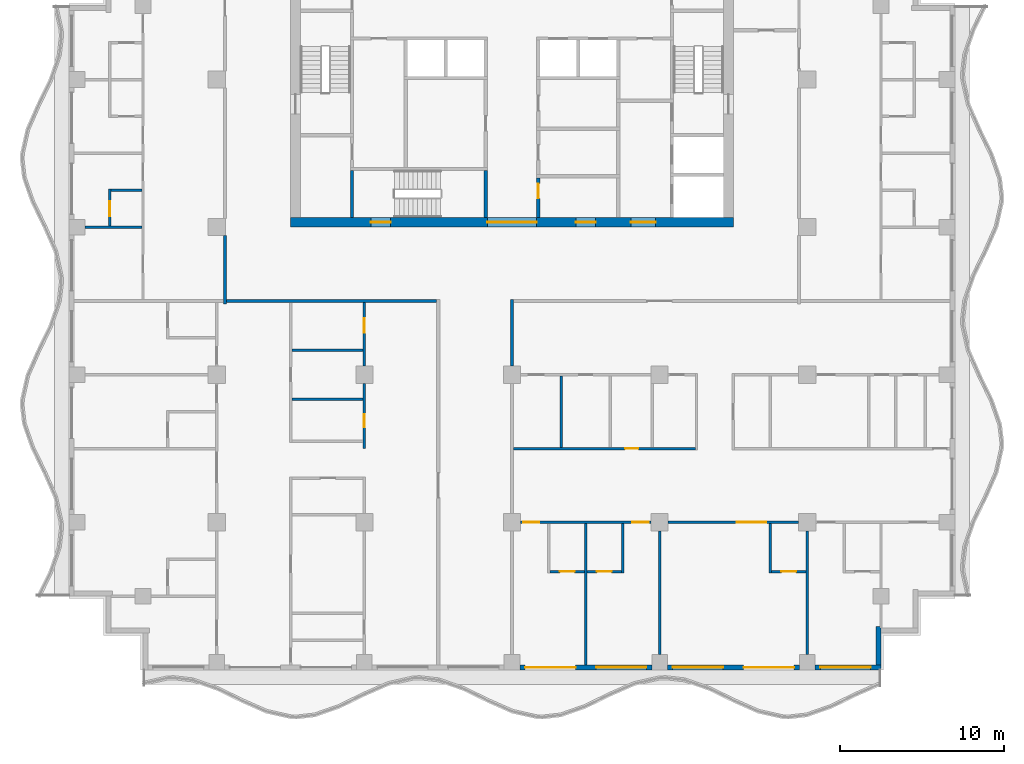
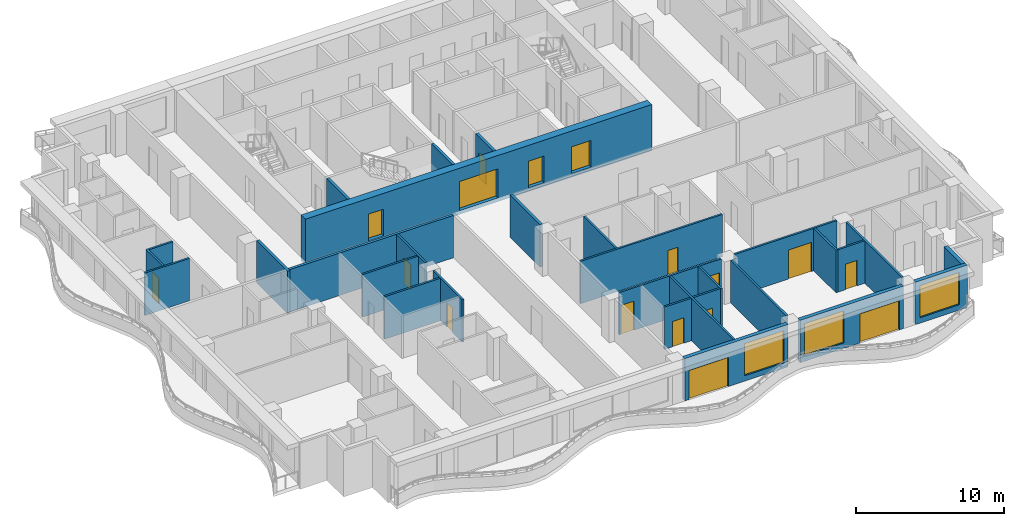
# One storey, part 3 of 11: 30 walls, 17 doors, 3 windows, 20 openings.
"""IFC4 building model written with IfcOpenShell, lengths in metres."""

import ifcopenshell
import ifcopenshell.guid

model = None  # the IFC model being written
_history = None  # IfcOwnerHistory: only IFC2X3 demands one
_inside = {}  # id of a spatial element -> (the spatial element, [elements in it])
_under = {}  # id of a project, library or spatial element -> (it, [spatial elements below it])
_declared = {}  # id of a project -> (the project, [libraries it declares])
_typed = {}  # id of a type object -> (the type object, [elements of that type])
_made_of = {}  # id of a material, layer set ... -> (it, [elements and type objects made of it])


def new_model(schema):
    """Start an empty IFC model of exactly this schema.

    Asked for "IFC4X3", IfcOpenShell would pick the latest addendum, in which some entities
    have other attributes; the version numbers below select the first issue.
    IFC2X3 requires an IfcOwnerHistory on every rooted entity: one is made here for all.
    """
    global model, _history
    if schema == "IFC4X3":
        model = ifcopenshell.file(schema_version=(4, 3, 0, 0))
    else:
        model = ifcopenshell.file(schema=schema)
    _inside.clear()
    _under.clear()
    _declared.clear()
    _typed.clear()
    _made_of.clear()
    _history = None
    if model.schema == "IFC2X3":
        org = make("IfcOrganization", Name="unknown")
        user = make(
            "IfcPersonAndOrganization",
            ThePerson=make("IfcPerson", FamilyName="unknown"),
            TheOrganization=org,
        )
        app = make(
            "IfcApplication",
            ApplicationDeveloper=org,
            Version="unknown",
            ApplicationFullName="unknown",
            ApplicationIdentifier="unknown",
        )
        _history = make(
            "IfcOwnerHistory",
            OwningUser=user,
            OwningApplication=app,
            ChangeAction="ADDED",
            CreationDate=0,
        )
    return model


def make(cls, **values):
    """One entity of the class cls with the attributes given. An attribute that is None is left unset."""
    return model.create_entity(
        cls, **{name: value for name, value in values.items() if value is not None}
    )


def rooted(cls, **values):
    """An entity with a GlobalId (a new one), such as an element, a storey or a relation."""
    return make(cls, GlobalId=ifcopenshell.guid.new(), OwnerHistory=_history, **values)


def si_unit(unit_type, name, prefix=None):
    """IfcSIUnit, for example si_unit("LENGTHUNIT", "METRE", prefix="MILLI")."""
    return make("IfcSIUnit", UnitType=unit_type, Prefix=prefix, Name=name)


def assignment(units):
    """IfcUnitAssignment: the units of a project."""
    return None if units is None else make("IfcUnitAssignment", Units=units)


def point(xyz):
    """IfcCartesianPoint."""
    return None if xyz is None else make("IfcCartesianPoint", Coordinates=xyz)


def direction(xyz):
    """IfcDirection."""
    return None if xyz is None else make("IfcDirection", DirectionRatios=xyz)


def frame(location, z_axis=None, x_axis=None):
    """IfcAxis2Placement3D, a coordinate frame: its origin and axes. An axis left out is left unset."""
    return make(
        "IfcAxis2Placement3D",
        Location=point(location),
        Axis=direction(z_axis),
        RefDirection=direction(x_axis),
    )


def frame_2d(location, x_axis=None):
    """IfcAxis2Placement2D, a coordinate frame in the plane: its origin and x axis."""
    return make(
        "IfcAxis2Placement2D", Location=point(location), RefDirection=direction(x_axis)
    )


def origin():
    """The frame at (0, 0, 0) with its axes left unset."""
    return frame((0.0, 0.0, 0.0))


def place(relative_to, where):
    """IfcLocalPlacement: puts the frame where relative to a parent placement (None: the world)."""
    return make(
        "IfcLocalPlacement", PlacementRelTo=relative_to, RelativePlacement=where
    )


def context(
    kind, dimensions, precision=None, world=None, true_north=None, identifier=None
):
    """IfcGeometricRepresentationContext, for example the 3D "Model" context."""
    return make(
        "IfcGeometricRepresentationContext",
        ContextIdentifier=identifier,
        ContextType=kind,
        CoordinateSpaceDimension=dimensions,
        Precision=precision,
        WorldCoordinateSystem=world,
        TrueNorth=true_north,
    )


def subcontext(parent, identifier, kind, view, scale=None):
    """IfcGeometricRepresentationSubContext, for example "Body" below "Model"."""
    return make(
        "IfcGeometricRepresentationSubContext",
        ContextIdentifier=identifier,
        ContextType=kind,
        ParentContext=parent,
        TargetScale=scale,
        TargetView=view,
    )


def project(units=None, contexts=None):
    """IfcProject with its units and contexts."""
    return rooted(
        "IfcProject",
        Name="project",
        RepresentationContexts=contexts,
        UnitsInContext=assignment(units),
    )


def spatial(cls, under=None, at=None, **own):
    """A site, building, storey or space (cls), placed at a placement, below another one or the project."""
    s = rooted(cls, ObjectPlacement=at, **own)
    if under is not None:
        _under.setdefault(under.id(), (under, []))[1].append(s)
    return s


def profile(cls, at=None, kind="AREA", **sizes):
    """A parametric profile (cls). Its sizes go by their IFC names, for example OverallWidth=200.0."""
    return make(cls, ProfileType=kind, Position=at, **sizes)


def rectangle(**sizes):
    """IfcRectangleProfileDef."""
    return profile("IfcRectangleProfileDef", **sizes)


def extrude(swept, where, along, depth):
    """IfcExtrudedAreaSolid: the profile swept, set in the frame where, extruded along a direction by depth."""
    return make(
        "IfcExtrudedAreaSolid",
        SweptArea=swept,
        Position=where,
        ExtrudedDirection=direction(along),
        Depth=depth,
    )


def shape(context_of_items, identifier, shape_type, items):
    """IfcShapeRepresentation: the items that make up one representation, for example the "Body"."""
    return make(
        "IfcShapeRepresentation",
        ContextOfItems=context_of_items,
        RepresentationIdentifier=identifier,
        RepresentationType=shape_type,
        Items=items,
    )


def material(Name=None, Category=None):
    """IfcMaterial."""
    return make("IfcMaterial", Name=Name, Category=Category)


def layer(
    of_material, thickness, ventilated=None, Name=None, Category=None, Priority=None
):
    """IfcMaterialLayer: one layer of a wall or slab, of a material (None: an air gap)."""
    return make(
        "IfcMaterialLayer",
        Material=of_material,
        LayerThickness=thickness,
        IsVentilated=ventilated,
        Name=Name,
        Category=Category,
        Priority=Priority,
    )


def layer_set(layers, Name=None):
    """IfcMaterialLayerSet."""
    return make("IfcMaterialLayerSet", MaterialLayers=layers, LayerSetName=Name)


def made_of(thing, what):
    """Note that an element or type object is made of a material, layer set ...; save() writes the relation."""
    if what is not None:
        _made_of.setdefault(what.id(), (what, []))[1].append(thing)
    return thing


def type_object(cls, material=None, **own):
    """A type object (cls), such as IfcWallType, which elements share."""
    return made_of(rooted(cls, **own), material)


def element(
    cls,
    number,
    at=None,
    inside=None,
    cuts=None,
    type_object=None,
    material=None,
    context=None,
    identifier="Body",
    shape_type=None,
    held_by="IfcProductDefinitionShape",
    body=None,
    shapes=None,
    **own,
):
    """One element of the class cls, such as IfcWall. Its Tag is "e" and its number.

    at: its placement. inside: the storey or other place that contains it. cuts: it is an
    opening in that element (IfcRelVoidsElement). A single representation is given by context,
    identifier, shape_type and body (its items); several are given by shapes. held_by: the class
    of the entity that holds the representations. save() writes the other relations.
    """
    e = rooted(cls, Tag="e%d" % number, ObjectPlacement=at, **own)
    if body is not None:
        shapes = [shape(context, identifier, shape_type, body)]
    if shapes is not None:
        e.Representation = make(held_by, Representations=shapes)
    if inside is not None:
        _inside.setdefault(inside.id(), (inside, []))[1].append(e)
    if cuts is not None:
        rooted(
            "IfcRelVoidsElement", RelatingBuildingElement=cuts, RelatedOpeningElement=e
        )
    if type_object is not None:
        _typed.setdefault(type_object.id(), (type_object, []))[1].append(e)
    return made_of(e, material)


def fill(opening, filler):
    """IfcRelFillsElement: the door or window that sits in an opening."""
    return rooted(
        "IfcRelFillsElement",
        RelatingOpeningElement=opening,
        RelatedBuildingElement=filler,
    )


def aggregate(whole, parts):
    """IfcRelAggregates: a whole, such as a stair, and the parts it consists of."""
    return rooted("IfcRelAggregates", RelatingObject=whole, RelatedObjects=parts)


def save(model, path):
    """Write the relations noted so far, then the file.

    IfcRelAggregates (storeys below a building ...), IfcRelContainedInSpatialStructure (elements
    in a storey), IfcRelDefinesByType, IfcRelAssociatesMaterial and IfcRelDeclares: one each for
    every whole, place, type object, material and project.
    """
    for whole, parts in _under.values():
        aggregate(whole, parts)
    for where, things in _inside.values():
        rooted(
            "IfcRelContainedInSpatialStructure",
            RelatedElements=things,
            RelatingStructure=where,
        )
    for kind, things in _typed.values():
        rooted("IfcRelDefinesByType", RelatedObjects=things, RelatingType=kind)
    for what, things in _made_of.values():
        rooted("IfcRelAssociatesMaterial", RelatedObjects=things, RelatingMaterial=what)
    for by, libraries in _declared.values():
        rooted("IfcRelDeclares", RelatingContext=by, RelatedDefinitions=libraries)
    model.write(path)


model = new_model("IFC4")

# Units and contexts
model_context = context("Model", 3, precision=1e-05, world=origin(), true_north=direction((0.0, 1.0)))
body_context = subcontext(model_context, "Body", "Model", "MODEL_VIEW")
ifc_project = project(units=[si_unit("LENGTHUNIT", "METRE"), si_unit("AREAUNIT", "SQUARE_METRE"), si_unit("VOLUMEUNIT", "CUBIC_METRE"), si_unit("PLANEANGLEUNIT", "RADIAN"), si_unit("MASSUNIT", "GRAM", prefix="KILO")], contexts=[model_context])

# Site, building, storey
site_placement = place(None, origin())
site = spatial("IfcSite", under=ifc_project, at=site_placement, CompositionType="ELEMENT")
building_placement = place(site_placement, origin())
building = spatial("IfcBuilding", under=site, at=building_placement, Name="Orbiselva Terraces", CompositionType="ELEMENT")
storey_placement = place(building_placement, frame((0.0, 0.0, 230.0)))
storey = spatial("IfcBuildingStorey", under=building, at=storey_placement, Name="L58", CompositionType="ELEMENT", Elevation=230.0)

# Wall, openings, doors
ifc_material_1 = material(Name="Concrete C80/95", Category="concrete")
ifc_layer_1 = layer(ifc_material_1, 0.6)
ifc_layer_set_1 = layer_set([ifc_layer_1], Name="Concrete C80/95")
wall_type_1 = type_object("IfcWallType", Name="CORE WALL 600", PredefinedType="SHEAR", material=ifc_layer_set_1)
wall_1_placement = place(storey_placement, frame((-13.5, 4.8, -0.3), z_axis=(0.0, 0.0, 1.0), x_axis=(1.0, 0.0, 0.0)))
wall_1 = element("IfcWall", 1, at=wall_1_placement, inside=storey, type_object=wall_type_1, Name="Core wall L58 south", PredefinedType="SHEAR", context=body_context, shape_type="SweptSolid", body=[
    extrude(rectangle(XDim=27.0, YDim=0.6, at=frame_2d((13.5, 0.0))), origin(), (0.0, 0.0, 1.0), 3.8),
])
opening_1_placement = place(wall_1_placement, frame((12.0, 0.0, 0.3)))
opening_1 = element("IfcOpeningElement", 2, at=opening_1_placement, cuts=wall_1, Name="Opening DL3000", PredefinedType="OPENING", context=body_context, shape_type="SweptSolid", body=[
    extrude(rectangle(XDim=3.0, YDim=2.4, at=frame_2d((1.5, 1.2))), frame((0.0, 0.31, 0.0), z_axis=(0.0, -1.0, 0.0), x_axis=(1.0, 0.0, 0.0)), (0.0, 0.0, 1.0), 0.62),
])
opening_2_placement = place(wall_1_placement, frame((4.9, 0.0, 0.3)))
opening_2 = element("IfcOpeningElement", 3, at=opening_2_placement, cuts=wall_1, Name="Opening DS1200", PredefinedType="OPENING", context=body_context, shape_type="SweptSolid", body=[
    extrude(rectangle(XDim=1.2, YDim=2.2, at=frame_2d((0.6, 1.1))), frame((0.0, 0.31, 0.0), z_axis=(0.0, -1.0, 0.0), x_axis=(1.0, 0.0, 0.0)), (0.0, 0.0, 1.0), 0.62),
])
opening_3_placement = place(wall_1_placement, frame((20.75, 0.0, 0.3)))
opening_3 = element("IfcOpeningElement", 4, at=opening_3_placement, cuts=wall_1, Name="Opening DF1500", PredefinedType="OPENING", context=body_context, shape_type="SweptSolid", body=[
    extrude(rectangle(XDim=1.5, YDim=2.2, at=frame_2d((0.75, 1.1))), frame((0.0, 0.31, 0.0), z_axis=(0.0, -1.0, 0.0), x_axis=(1.0, 0.0, 0.0)), (0.0, 0.0, 1.0), 0.62),
])
opening_4_placement = place(wall_1_placement, frame((17.4, 0.0, 0.3)))
opening_4 = element("IfcOpeningElement", 5, at=opening_4_placement, cuts=wall_1, Name="Opening DV1200", PredefinedType="OPENING", context=body_context, shape_type="SweptSolid", body=[
    extrude(rectangle(XDim=1.2, YDim=2.2, at=frame_2d((0.6, 1.1))), frame((0.0, 0.31, 0.0), z_axis=(0.0, -1.0, 0.0), x_axis=(1.0, 0.0, 0.0)), (0.0, 0.0, 1.0), 0.62),
])
ifc_material_2 = material(Name="Steel fire door", Category="steel")
door_type_1 = type_object("IfcDoorType", Name="FFL DOOR 1500", OperationType="DOUBLE_DOOR_SINGLE_SWING", PredefinedType="DOOR", material=ifc_material_2)
door_1_placement = place(opening_3_placement, frame((1.5, 0.0, 0.0), z_axis=(0.0, 0.0, 1.0), x_axis=(-1.0, 0.0, 0.0)))
door_1 = element("IfcDoor", 6, at=door_1_placement, inside=storey, type_object=door_type_1, Name="L58 FIRE-FIGHTING LOBBY door", OperationType="DOUBLE_DOOR_SINGLE_SWING", OverallHeight=2.2, OverallWidth=1.5, PredefinedType="DOOR", context=body_context, shape_type="SweptSolid", body=[
    extrude(rectangle(XDim=1.5, YDim=2.2, at=frame_2d((0.75, 1.1))), frame((0.0, 0.025, 0.0), z_axis=(0.0, -1.0, 0.0), x_axis=(1.0, 0.0, 0.0)), (0.0, 0.0, 1.0), 0.05),
])
fill(opening_3, door_1)
door_type_2 = type_object("IfcDoorType", Name="LOBBY DOOR 3000", OperationType="DOUBLE_DOOR_SINGLE_SWING", PredefinedType="DOOR", material=ifc_material_2)
door_2_placement = place(opening_1_placement, frame((3.0, 0.0, 0.0), z_axis=(0.0, 0.0, 1.0), x_axis=(-1.0, 0.0, 0.0)))
door_2 = element("IfcDoor", 7, at=door_2_placement, inside=storey, type_object=door_type_2, Name="L58 LIFT LOBBY door", OperationType="DOUBLE_DOOR_SINGLE_SWING", OverallHeight=2.4, OverallWidth=3.0, PredefinedType="DOOR", context=body_context, shape_type="SweptSolid", body=[
    extrude(rectangle(XDim=3.0, YDim=2.4, at=frame_2d((1.5, 1.2))), frame((0.0, 0.025, 0.0), z_axis=(0.0, -1.0, 0.0), x_axis=(1.0, 0.0, 0.0)), (0.0, 0.0, 1.0), 0.05),
])
fill(opening_1, door_2)
door_type_3 = type_object("IfcDoorType", Name="SERVICE DOOR 1200", OperationType="NOTDEFINED", PredefinedType="DOOR", material=ifc_material_2)
door_3_placement = place(opening_4_placement, frame((1.2, 0.0, 0.0), z_axis=(0.0, 0.0, 1.0), x_axis=(-1.0, 0.0, 0.0)))
door_3 = element("IfcDoor", 8, at=door_3_placement, inside=storey, type_object=door_type_3, Name="L58 ELECTRICAL RISER ROOM door", OperationType="SINGLE_SWING_RIGHT", OverallHeight=2.2, OverallWidth=1.2, PredefinedType="DOOR", context=body_context, shape_type="SweptSolid", body=[
    extrude(rectangle(XDim=1.2, YDim=2.2, at=frame_2d((0.6, 1.1))), frame((0.0, 0.025, 0.0), z_axis=(0.0, -1.0, 0.0), x_axis=(1.0, 0.0, 0.0)), (0.0, 0.0, 1.0), 0.05),
])
fill(opening_4, door_3)
door_type_4 = type_object("IfcDoorType", Name="STAIR DOOR 1200", OperationType="NOTDEFINED", PredefinedType="DOOR", material=ifc_material_2)
door_4_placement = place(opening_2_placement, frame((1.2, 0.0, 0.0), z_axis=(0.0, 0.0, 1.0), x_axis=(-1.0, 0.0, 0.0)))
door_4 = element("IfcDoor", 9, at=door_4_placement, inside=storey, type_object=door_type_4, Name="L58 EXIT STAIR S3 door", OperationType="SINGLE_SWING_LEFT", OverallHeight=2.2, OverallWidth=1.2, PredefinedType="DOOR", context=body_context, shape_type="SweptSolid", body=[
    extrude(rectangle(XDim=1.2, YDim=2.2, at=frame_2d((0.6, 1.1))), frame((0.0, 0.025, 0.0), z_axis=(0.0, -1.0, 0.0), x_axis=(1.0, 0.0, 0.0)), (0.0, 0.0, 1.0), 0.05),
])
fill(opening_2, door_4)

# Wall, opening, door
ifc_material_3 = material(Name="Masonry blockwork", Category="masonry")
ifc_layer_2 = layer(ifc_material_3, 0.2)
ifc_layer_set_2 = layer_set([ifc_layer_2], Name="Masonry blockwork")
wall_type_2 = type_object("IfcWallType", Name="CORE-WALL-PARTITION-200", PredefinedType="PARTITIONING", material=ifc_layer_set_2)
wall_2_placement = place(storey_placement, frame((1.6, 7.5, 0.0), z_axis=(0.0, 0.0, 1.0), x_axis=(0.0, -1.0, 0.0)))
wall_2 = element("IfcWall", 10, at=wall_2_placement, inside=storey, type_object=wall_type_2, Name="L58 core wall 22", PredefinedType="PARTITIONING", context=body_context, shape_type="SweptSolid", body=[
    extrude(rectangle(XDim=2.4, YDim=0.2, at=frame_2d((1.2, 0.0))), origin(), (0.0, 0.0, 1.0), 3.5),
])
opening_5_placement = place(wall_2_placement, frame((0.35, 0.0, 0.0)))
opening_5 = element("IfcOpeningElement", 11, at=opening_5_placement, cuts=wall_2, Name="Opening DR900", PredefinedType="OPENING", context=body_context, shape_type="SweptSolid", body=[
    extrude(rectangle(XDim=0.9, YDim=2.1, at=frame_2d((0.45, 1.05))), frame((0.0, 0.11, 0.0), z_axis=(0.0, -1.0, 0.0), x_axis=(1.0, 0.0, 0.0)), (0.0, 0.0, 1.0), 0.22),
])
door_type_5 = type_object("IfcDoorType", Name="ROOM DOOR 900", OperationType="NOTDEFINED", PredefinedType="DOOR", material=ifc_material_2)
door_5_placement = place(opening_5_placement, origin())
door_5 = element("IfcDoor", 12, at=door_5_placement, inside=storey, type_object=door_type_5, Name="L58 ELECTRICAL RISER ROOM door", OperationType="SINGLE_SWING_LEFT", OverallHeight=2.1, OverallWidth=0.9, PredefinedType="DOOR", context=body_context, shape_type="SweptSolid", body=[
    extrude(rectangle(XDim=0.9, YDim=2.1, at=frame_2d((0.45, 1.05))), frame((0.0, 0.025, 0.0), z_axis=(0.0, -1.0, 0.0), x_axis=(1.0, 0.0, 0.0)), (0.0, 0.0, 1.0), 0.05),
])
fill(opening_5, door_5)

# Walls
ifc_material_4 = material(Name="Concrete C60/75", Category="concrete")
ifc_layer_3 = layer(ifc_material_4, 0.2)
ifc_layer_set_3 = layer_set([ifc_layer_3], Name="Concrete C60/75")
wall_type_3 = type_object("IfcWallType", Name="CORE-WALL-SHEAR-200", PredefinedType="SHEAR", material=ifc_layer_set_3)
for number, where, z_axis, x_axis, name in (
    (13, (-9.75, 5.1, 0.0), (0.0, 0.0, 1.0), (0.0, 1.0, 0.0), "L58 core wall 03"),
    (14, (-1.6, 5.1, 0.0), (0.0, 0.0, 1.0), (0.0, 1.0, 0.0), "L58 core wall 18"),
):
    element("IfcWall", number, at=place(storey_placement, frame(where, z_axis=z_axis, x_axis=x_axis)), inside=storey, type_object=wall_type_3, Name=name, PredefinedType="SHEAR", context=body_context, shape_type="SweptSolid", body=[
        extrude(rectangle(XDim=2.85, YDim=0.2, at=frame_2d((1.425, 0.0))), origin(), (0.0, 0.0, 1.0), 3.5),
    ])

# Wall, openings, door, window
ifc_material_5 = material(Name="Terracotta cladding on masonry backing", Category="masonry")
ifc_layer_4 = layer(ifc_material_5, 0.3)
ifc_layer_set_4 = layer_set([ifc_layer_4], Name="Terracotta cladding on masonry backing")
wall_type_4 = type_object("IfcWallType", Name="ENV-WALL-TERRACOTTA-300", PredefinedType="SOLIDWALL", material=ifc_layer_set_4)
wall_3_placement = place(storey_placement, frame((8.525, -22.35, 0.0), z_axis=(0.0, 0.0, 1.0), x_axis=(-1.0, 0.0, 0.0)))
wall_3 = element("IfcWall", 15, at=wall_3_placement, inside=storey, type_object=wall_type_4, Name="Facade wall L58 S", PredefinedType="SOLIDWALL", context=body_context, shape_type="SweptSolid", body=[
    extrude(rectangle(XDim=8.05, YDim=0.3, at=frame_2d((4.025, 0.0))), origin(), (0.0, 0.0, 1.0), 3.5),
])
opening_6_placement = place(wall_3_placement, frame((4.65, 0.0, 0.0)))
opening_6 = element("IfcOpeningElement", 16, at=opening_6_placement, cuts=wall_3, Name="Opening Z4-E-E02", PredefinedType="OPENING", context=body_context, shape_type="SweptSolid", body=[
    extrude(rectangle(XDim=3.075, YDim=2.4, at=frame_2d((1.5375, 1.2))), frame((0.0, 0.16, 0.0), z_axis=(0.0, -1.0, 0.0), x_axis=(1.0, 0.0, 0.0)), (0.0, 0.0, 1.0), 0.32),
])
opening_7_placement = place(wall_3_placement, frame((0.325, 0.0, 0.45)))
opening_7 = element("IfcOpeningElement", 17, at=opening_7_placement, cuts=wall_3, Name="Opening WN15", PredefinedType="OPENING", context=body_context, shape_type="SweptSolid", body=[
    extrude(rectangle(XDim=3.075, YDim=2.65, at=frame_2d((1.5375, 1.325))), frame((0.0, 0.16, 0.0), z_axis=(0.0, -1.0, 0.0), x_axis=(1.0, 0.0, 0.0)), (0.0, 0.0, 1.0), 0.32),
])
ifc_material_6 = material(Name="Clear low-e glazing in aluminium frame", Category="aluminium")
door_type_6 = type_object("IfcDoorType", Name="BALCONY DOOR 3075 X 2400", OperationType="DOUBLE_DOOR_SLIDING", PredefinedType="DOOR", material=ifc_material_6)
door_6_placement = place(opening_6_placement, origin())
door_6 = element("IfcDoor", 18, at=door_6_placement, inside=storey, type_object=door_type_6, Name="Z4-E-E02", OperationType="SINGLE_SWING_LEFT", OverallHeight=2.4, OverallWidth=3.075, PredefinedType="DOOR", context=body_context, shape_type="SweptSolid", body=[
    extrude(rectangle(XDim=3.075, YDim=2.4, at=frame_2d((1.5375, 1.2))), frame((0.0, 0.025, 0.0), z_axis=(0.0, -1.0, 0.0), x_axis=(1.0, 0.0, 0.0)), (0.0, 0.0, 1.0), 0.05),
])
fill(opening_6, door_6)
window_type = type_object("IfcWindowType", Name="WINDOW 3075 X 2650 S450", PartitioningType="TRIPLE_PANEL_VERTICAL", PredefinedType="WINDOW", material=ifc_material_6)
window_1_placement = place(opening_7_placement, origin())
window_1 = element("IfcWindow", 19, at=window_1_placement, inside=storey, type_object=window_type, Name="Window L58 S", OverallHeight=2.65, OverallWidth=3.075, PartitioningType="SINGLE_PANEL", PredefinedType="WINDOW", context=body_context, shape_type="SweptSolid", body=[
    extrude(rectangle(XDim=3.075, YDim=2.65, at=frame_2d((1.5375, 1.325))), frame((0.0, 0.03, 0.0), z_axis=(0.0, -1.0, 0.0), x_axis=(1.0, 0.0, 0.0)), (0.0, 0.0, 1.0), 0.06),
])
fill(opening_7, window_1)

wall_4_placement = place(storey_placement, frame((17.525, -22.35, 0.0), z_axis=(0.0, 0.0, 1.0), x_axis=(-1.0, 0.0, 0.0)))
wall_4 = element("IfcWall", 20, at=wall_4_placement, inside=storey, type_object=wall_type_4, Name="Facade wall L58 S", PredefinedType="SOLIDWALL", context=body_context, shape_type="SweptSolid", body=[
    extrude(rectangle(XDim=8.05, YDim=0.3, at=frame_2d((4.025, 0.0))), origin(), (0.0, 0.0, 1.0), 3.5),
])
opening_8_placement = place(wall_4_placement, frame((4.65, 0.0, 0.45)))
opening_8 = element("IfcOpeningElement", 21, at=opening_8_placement, cuts=wall_4, Name="Opening WN15", PredefinedType="OPENING", context=body_context, shape_type="SweptSolid", body=[
    extrude(rectangle(XDim=3.075, YDim=2.65, at=frame_2d((1.5375, 1.325))), frame((0.0, 0.16, 0.0), z_axis=(0.0, -1.0, 0.0), x_axis=(1.0, 0.0, 0.0)), (0.0, 0.0, 1.0), 0.32),
])
opening_9_placement = place(wall_4_placement, frame((0.325, 0.0, 0.0)))
opening_9 = element("IfcOpeningElement", 22, at=opening_9_placement, cuts=wall_4, Name="Opening Z4-E-E11", PredefinedType="OPENING", context=body_context, shape_type="SweptSolid", body=[
    extrude(rectangle(XDim=3.075, YDim=2.4, at=frame_2d((1.5375, 1.2))), frame((0.0, 0.16, 0.0), z_axis=(0.0, -1.0, 0.0), x_axis=(1.0, 0.0, 0.0)), (0.0, 0.0, 1.0), 0.32),
])
door_7_placement = place(opening_9_placement, origin())
door_7 = element("IfcDoor", 23, at=door_7_placement, inside=storey, type_object=door_type_6, Name="Z4-E-E11", OperationType="SINGLE_SWING_LEFT", OverallHeight=2.4, OverallWidth=3.075, PredefinedType="DOOR", context=body_context, shape_type="SweptSolid", body=[
    extrude(rectangle(XDim=3.075, YDim=2.4, at=frame_2d((1.5375, 1.2))), frame((0.0, 0.025, 0.0), z_axis=(0.0, -1.0, 0.0), x_axis=(1.0, 0.0, 0.0)), (0.0, 0.0, 1.0), 0.05),
])
fill(opening_9, door_7)
window_2_placement = place(opening_8_placement, origin())
window_2 = element("IfcWindow", 24, at=window_2_placement, inside=storey, type_object=window_type, Name="Window L58 S", OverallHeight=2.65, OverallWidth=3.075, PartitioningType="SINGLE_PANEL", PredefinedType="WINDOW", context=body_context, shape_type="SweptSolid", body=[
    extrude(rectangle(XDim=3.075, YDim=2.65, at=frame_2d((1.5375, 1.325))), frame((0.0, 0.03, 0.0), z_axis=(0.0, -1.0, 0.0), x_axis=(1.0, 0.0, 0.0)), (0.0, 0.0, 1.0), 0.06),
])
fill(opening_8, window_2)

# Wall, opening, window
wall_5_placement = place(storey_placement, frame((22.5, -22.35, 0.0), z_axis=(0.0, 0.0, 1.0), x_axis=(-1.0, 0.0, 0.0)))
wall_5 = element("IfcWall", 25, at=wall_5_placement, inside=storey, type_object=wall_type_4, Name="Facade wall L58 S", PredefinedType="SOLIDWALL", context=body_context, shape_type="SweptSolid", body=[
    extrude(rectangle(XDim=4.025, YDim=0.3, at=frame_2d((2.0125, 0.0))), origin(), (0.0, 0.0, 1.0), 3.5),
])
opening_10_placement = place(wall_5_placement, frame((0.625, 0.0, 0.45)))
opening_10 = element("IfcOpeningElement", 26, at=opening_10_placement, cuts=wall_5, Name="Opening WN15", PredefinedType="OPENING", context=body_context, shape_type="SweptSolid", body=[
    extrude(rectangle(XDim=3.075, YDim=2.65, at=frame_2d((1.5375, 1.325))), frame((0.0, 0.16, 0.0), z_axis=(0.0, -1.0, 0.0), x_axis=(1.0, 0.0, 0.0)), (0.0, 0.0, 1.0), 0.32),
])
window_3_placement = place(opening_10_placement, origin())
window_3 = element("IfcWindow", 27, at=window_3_placement, inside=storey, type_object=window_type, Name="Window L58 S", OverallHeight=2.65, OverallWidth=3.075, PartitioningType="SINGLE_PANEL", PredefinedType="WINDOW", context=body_context, shape_type="SweptSolid", body=[
    extrude(rectangle(XDim=3.075, YDim=2.65, at=frame_2d((1.5375, 1.325))), frame((0.0, 0.03, 0.0), z_axis=(0.0, -1.0, 0.0), x_axis=(1.0, 0.0, 0.0)), (0.0, 0.0, 1.0), 0.06),
])
fill(opening_10, window_3)

# Walls
wall_6_placement = place(storey_placement, frame((22.35, -19.85, 0.0), z_axis=(0.0, 0.0, 1.0), x_axis=(0.0, -1.0, 0.0)))
element("IfcWall", 28, at=wall_6_placement, inside=storey, type_object=wall_type_4, Name="Facade wall L58 STEP", PredefinedType="SOLIDWALL", context=body_context, shape_type="SweptSolid", body=[
    extrude(rectangle(XDim=2.35, YDim=0.3, at=frame_2d((1.175, 0.0))), origin(), (0.0, 0.0, 1.0), 3.5),
])
ifc_material_7 = material(Name="Plasterboard on steel stud partition", Category="steel")
ifc_layer_5 = layer(ifc_material_7, 0.2)
ifc_layer_set_5 = layer_set([ifc_layer_5], Name="Plasterboard on steel stud partition")
wall_type_5 = type_object("IfcWallType", Name="UNIT-ENTRANCE-WALL-200", PredefinedType="PARTITIONING", material=ifc_layer_set_5)
wall_7_placement = place(storey_placement, frame((-17.4, 0.0, 0.0), z_axis=(0.0, 0.0, 1.0), x_axis=(1.0, 0.0, 0.0)))
element("IfcWall", 29, at=wall_7_placement, inside=storey, type_object=wall_type_5, Name="PARTITION L58-028", PredefinedType="PARTITIONING", context=body_context, shape_type="SweptSolid", body=[
    extrude(rectangle(XDim=12.8, YDim=0.2, at=frame_2d((6.4, 0.0))), origin(), (0.0, 0.0, 1.0), 3.5),
])
wall_8_placement = place(storey_placement, frame((-17.5, -0.2, 0.0), z_axis=(0.0, 0.0, 1.0), x_axis=(0.0, 1.0, 0.0)))
element("IfcWall", 30, at=wall_8_placement, inside=storey, type_object=wall_type_5, Name="PARTITION L58-057", PredefinedType="PARTITIONING", context=body_context, shape_type="SweptSolid", body=[
    extrude(rectangle(XDim=4.175, YDim=0.2, at=frame_2d((2.0875, 0.0))), origin(), (0.0, 0.0, 1.0), 3.5),
])
wall_9_placement = place(storey_placement, frame((0.0, -3.975, 0.0), z_axis=(0.0, 0.0, 1.0), x_axis=(0.0, 1.0, 0.0)))
element("IfcWall", 31, at=wall_9_placement, inside=storey, type_object=wall_type_5, Name="PARTITION L58-069", PredefinedType="PARTITIONING", context=body_context, shape_type="SweptSolid", body=[
    extrude(rectangle(XDim=4.075, YDim=0.2, at=frame_2d((2.0375, 0.0))), origin(), (0.0, 0.0, 1.0), 3.5),
])

# Wall, opening, door
ifc_layer_6 = layer(ifc_material_7, 0.15)
ifc_layer_set_6 = layer_set([ifc_layer_6], Name="Plasterboard on steel stud partition")
wall_type_6 = type_object("IfcWallType", Name="UNIT-PARTITION-150", PredefinedType="PARTITIONING", material=ifc_layer_set_6)
wall_10_placement = place(storey_placement, frame((2.325, -16.5, 0.0), z_axis=(0.0, 0.0, 1.0), x_axis=(1.0, 0.0, 0.0)))
wall_10 = element("IfcWall", 32, at=wall_10_placement, inside=storey, type_object=wall_type_6, Name="PARTITION L58-005", PredefinedType="PARTITIONING", context=body_context, shape_type="SweptSolid", body=[
    extrude(rectangle(XDim=2.1, YDim=0.15, at=frame_2d((1.05, 0.0))), origin(), (0.0, 0.0, 1.0), 3.5),
])
opening_11_placement = place(wall_10_placement, frame((0.6, 0.0, 0.0)))
opening_11 = element("IfcOpeningElement", 33, at=opening_11_placement, cuts=wall_10, Name="Opening Z4-E-51", PredefinedType="OPENING", context=body_context, shape_type="SweptSolid", body=[
    extrude(rectangle(XDim=0.9, YDim=2.1, at=frame_2d((0.45, 1.05))), frame((0.0, 0.085, 0.0), z_axis=(0.0, -1.0, 0.0), x_axis=(1.0, 0.0, 0.0)), (0.0, 0.0, 1.0), 0.17),
])
ifc_material_8 = material(Name="Painted timber door leaf", Category="wood")
door_type_7 = type_object("IfcDoorType", Name="BATH DOOR 900", OperationType="NOTDEFINED", PredefinedType="DOOR", material=ifc_material_8)
door_8_placement = place(opening_11_placement, origin())
door_8 = element("IfcDoor", 34, at=door_8_placement, inside=storey, type_object=door_type_7, Name="Z4-E-51", OperationType="SINGLE_SWING_RIGHT", OverallHeight=2.1, OverallWidth=0.9, PredefinedType="DOOR", context=body_context, shape_type="SweptSolid", body=[
    extrude(rectangle(XDim=0.9, YDim=2.1, at=frame_2d((0.45, 1.05))), frame((0.0, 0.025, 0.0), z_axis=(0.0, -1.0, 0.0), x_axis=(1.0, 0.0, 0.0)), (0.0, 0.0, 1.0), 0.05),
])
fill(opening_11, door_8)

wall_11_placement = place(storey_placement, frame((4.575, -16.5, 0.0), z_axis=(0.0, 0.0, 1.0), x_axis=(1.0, 0.0, 0.0)))
wall_11 = element("IfcWall", 35, at=wall_11_placement, inside=storey, type_object=wall_type_6, Name="PARTITION L58-006", PredefinedType="PARTITIONING", context=body_context, shape_type="SweptSolid", body=[
    extrude(rectangle(XDim=2.1, YDim=0.15, at=frame_2d((1.05, 0.0))), origin(), (0.0, 0.0, 1.0), 3.5),
])
opening_12_placement = place(wall_11_placement, frame((0.6, 0.0, 0.0)))
opening_12 = element("IfcOpeningElement", 36, at=opening_12_placement, cuts=wall_11, Name="Opening Z4-E-49", PredefinedType="OPENING", context=body_context, shape_type="SweptSolid", body=[
    extrude(rectangle(XDim=0.9, YDim=2.1, at=frame_2d((0.45, 1.05))), frame((0.0, 0.085, 0.0), z_axis=(0.0, -1.0, 0.0), x_axis=(1.0, 0.0, 0.0)), (0.0, 0.0, 1.0), 0.17),
])
door_9_placement = place(opening_12_placement, origin())
door_9 = element("IfcDoor", 37, at=door_9_placement, inside=storey, type_object=door_type_7, Name="Z4-E-49", OperationType="SINGLE_SWING_LEFT", OverallHeight=2.1, OverallWidth=0.9, PredefinedType="DOOR", context=body_context, shape_type="SweptSolid", body=[
    extrude(rectangle(XDim=0.9, YDim=2.1, at=frame_2d((0.45, 1.05))), frame((0.0, 0.025, 0.0), z_axis=(0.0, -1.0, 0.0), x_axis=(1.0, 0.0, 0.0)), (0.0, 0.0, 1.0), 0.05),
])
fill(opening_12, door_9)

wall_12_placement = place(storey_placement, frame((15.825, -16.5, 0.0), z_axis=(0.0, 0.0, 1.0), x_axis=(1.0, 0.0, 0.0)))
wall_12 = element("IfcWall", 38, at=wall_12_placement, inside=storey, type_object=wall_type_6, Name="PARTITION L58-007", PredefinedType="PARTITIONING", context=body_context, shape_type="SweptSolid", body=[
    extrude(rectangle(XDim=2.1, YDim=0.15, at=frame_2d((1.05, 0.0))), origin(), (0.0, 0.0, 1.0), 3.5),
])
opening_13_placement = place(wall_12_placement, frame((0.6, 0.0, 0.0)))
opening_13 = element("IfcOpeningElement", 39, at=opening_13_placement, cuts=wall_12, Name="Opening Z4-E-47", PredefinedType="OPENING", context=body_context, shape_type="SweptSolid", body=[
    extrude(rectangle(XDim=0.9, YDim=2.1, at=frame_2d((0.45, 1.05))), frame((0.0, 0.085, 0.0), z_axis=(0.0, -1.0, 0.0), x_axis=(1.0, 0.0, 0.0)), (0.0, 0.0, 1.0), 0.17),
])
door_10_placement = place(opening_13_placement, origin())
door_10 = element("IfcDoor", 40, at=door_10_placement, inside=storey, type_object=door_type_7, Name="Z4-E-47", OperationType="SINGLE_SWING_LEFT", OverallHeight=2.1, OverallWidth=0.9, PredefinedType="DOOR", context=body_context, shape_type="SweptSolid", body=[
    extrude(rectangle(XDim=0.9, YDim=2.1, at=frame_2d((0.45, 1.05))), frame((0.0, 0.025, 0.0), z_axis=(0.0, -1.0, 0.0), x_axis=(1.0, 0.0, 0.0)), (0.0, 0.0, 1.0), 0.05),
])
fill(opening_13, door_10)

# Wall, openings, doors
wall_13_placement = place(storey_placement, frame((8.475, -13.5, 0.0), z_axis=(0.0, 0.0, 1.0), x_axis=(-1.0, 0.0, 0.0)))
wall_13 = element("IfcWall", 41, at=wall_13_placement, inside=storey, type_object=wall_type_6, Name="PARTITION L58-010", PredefinedType="PARTITIONING", context=body_context, shape_type="SweptSolid", body=[
    extrude(rectangle(XDim=7.95, YDim=0.15, at=frame_2d((3.975, 0.0))), origin(), (0.0, 0.0, 1.0), 3.5),
])
opening_14_placement = place(wall_13_placement, frame((0.15, 0.0, 0.0)))
opening_14 = element("IfcOpeningElement", 42, at=opening_14_placement, cuts=wall_13, Name="Opening Z4-E-48", PredefinedType="OPENING", context=body_context, shape_type="SweptSolid", body=[
    extrude(rectangle(XDim=1.0, YDim=2.4, at=frame_2d((0.5, 1.2))), frame((0.0, 0.085, 0.0), z_axis=(0.0, -1.0, 0.0), x_axis=(1.0, 0.0, 0.0)), (0.0, 0.0, 1.0), 0.17),
])
opening_15_placement = place(wall_13_placement, frame((6.8, 0.0, 0.0)))
opening_15 = element("IfcOpeningElement", 43, at=opening_15_placement, cuts=wall_13, Name="Opening Z4-E-50", PredefinedType="OPENING", context=body_context, shape_type="SweptSolid", body=[
    extrude(rectangle(XDim=1.0, YDim=2.4, at=frame_2d((0.5, 1.2))), frame((0.0, 0.085, 0.0), z_axis=(0.0, -1.0, 0.0), x_axis=(1.0, 0.0, 0.0)), (0.0, 0.0, 1.0), 0.17),
])
door_type_8 = type_object("IfcDoorType", Name="ROOM DOOR 1000", OperationType="NOTDEFINED", PredefinedType="DOOR", material=ifc_material_8)
door_11_placement = place(opening_14_placement, origin())
door_11 = element("IfcDoor", 44, at=door_11_placement, inside=storey, type_object=door_type_8, Name="Z4-E-48", OperationType="SINGLE_SWING_LEFT", OverallHeight=2.4, OverallWidth=1.0, PredefinedType="DOOR", context=body_context, shape_type="SweptSolid", body=[
    extrude(rectangle(XDim=1.0, YDim=2.4, at=frame_2d((0.5, 1.2))), frame((0.0, 0.025, 0.0), z_axis=(0.0, -1.0, 0.0), x_axis=(1.0, 0.0, 0.0)), (0.0, 0.0, 1.0), 0.05),
])
fill(opening_14, door_11)
door_12_placement = place(opening_15_placement, origin())
door_12 = element("IfcDoor", 45, at=door_12_placement, inside=storey, type_object=door_type_8, Name="Z4-E-50", OperationType="SINGLE_SWING_RIGHT", OverallHeight=2.4, OverallWidth=1.0, PredefinedType="DOOR", context=body_context, shape_type="SweptSolid", body=[
    extrude(rectangle(XDim=1.0, YDim=2.4, at=frame_2d((0.5, 1.2))), frame((0.0, 0.025, 0.0), z_axis=(0.0, -1.0, 0.0), x_axis=(1.0, 0.0, 0.0)), (0.0, 0.0, 1.0), 0.05),
])
fill(opening_15, door_12)

# Wall, opening, door
wall_14_placement = place(storey_placement, frame((17.475, -13.5, 0.0), z_axis=(0.0, 0.0, 1.0), x_axis=(-1.0, 0.0, 0.0)))
wall_14 = element("IfcWall", 46, at=wall_14_placement, inside=storey, type_object=wall_type_6, Name="PARTITION L58-011", PredefinedType="PARTITIONING", context=body_context, shape_type="SweptSolid", body=[
    extrude(rectangle(XDim=7.95, YDim=0.15, at=frame_2d((3.975, 0.0))), origin(), (0.0, 0.0, 1.0), 3.5),
])
opening_16_placement = place(wall_14_placement, frame((1.975, 0.0, 0.0)))
opening_16 = element("IfcOpeningElement", 47, at=opening_16_placement, cuts=wall_14, Name="Opening Z4-E-46", PredefinedType="OPENING", context=body_context, shape_type="SweptSolid", body=[
    extrude(rectangle(XDim=1.8, YDim=2.4, at=frame_2d((0.9, 1.2))), frame((0.0, 0.085, 0.0), z_axis=(0.0, -1.0, 0.0), x_axis=(1.0, 0.0, 0.0)), (0.0, 0.0, 1.0), 0.17),
])
door_type_9 = type_object("IfcDoorType", Name="DOUBLE DOOR 1800", OperationType="NOTDEFINED", PredefinedType="DOOR", material=ifc_material_8)
door_13_placement = place(opening_16_placement, origin())
door_13 = element("IfcDoor", 48, at=door_13_placement, inside=storey, type_object=door_type_9, Name="Z4-E-46", OperationType="DOUBLE_DOOR_SINGLE_SWING", OverallHeight=2.4, OverallWidth=1.8, PredefinedType="DOOR", context=body_context, shape_type="SweptSolid", body=[
    extrude(rectangle(XDim=1.8, YDim=2.4, at=frame_2d((0.9, 1.2))), frame((0.0, 0.025, 0.0), z_axis=(0.0, -1.0, 0.0), x_axis=(1.0, 0.0, 0.0)), (0.0, 0.0, 1.0), 0.05),
])
fill(opening_16, door_13)

wall_15_placement = place(storey_placement, frame((0.1, -9.0, 0.0), z_axis=(0.0, 0.0, 1.0), x_axis=(1.0, 0.0, 0.0)))
wall_15 = element("IfcWall", 49, at=wall_15_placement, inside=storey, type_object=wall_type_6, Name="PARTITION L58-016", PredefinedType="PARTITIONING", context=body_context, shape_type="SweptSolid", body=[
    extrude(rectangle(XDim=11.075, YDim=0.15, at=frame_2d((5.5375, 0.0))), origin(), (0.0, 0.0, 1.0), 3.5),
])
opening_17_placement = place(wall_15_placement, frame((6.8, 0.0, 0.0)))
opening_17 = element("IfcOpeningElement", 50, at=opening_17_placement, cuts=wall_15, Name="Opening Z4-E-40", PredefinedType="OPENING", context=body_context, shape_type="SweptSolid", body=[
    extrude(rectangle(XDim=0.8, YDim=2.0, at=frame_2d((0.4, 1.0))), frame((0.0, 0.085, 0.0), z_axis=(0.0, -1.0, 0.0), x_axis=(1.0, 0.0, 0.0)), (0.0, 0.0, 1.0), 0.17),
])
door_type_10 = type_object("IfcDoorType", Name="STORE DOOR 800", OperationType="NOTDEFINED", PredefinedType="DOOR", material=ifc_material_8)
door_14_placement = place(opening_17_placement, origin())
door_14 = element("IfcDoor", 51, at=door_14_placement, inside=storey, type_object=door_type_10, Name="Z4-E-40", OperationType="SINGLE_SWING_RIGHT", OverallHeight=2.0, OverallWidth=0.8, PredefinedType="DOOR", context=body_context, shape_type="SweptSolid", body=[
    extrude(rectangle(XDim=0.8, YDim=2.0, at=frame_2d((0.4, 1.0))), frame((0.0, 0.025, 0.0), z_axis=(0.0, -1.0, 0.0), x_axis=(1.0, 0.0, 0.0)), (0.0, 0.0, 1.0), 0.05),
])
fill(opening_17, door_14)

# Walls
for number, where, z_axis, x_axis, name in (
    (52, (-13.425, -6.0, 0.0), (0.0, 0.0, 1.0), (1.0, 0.0, 0.0), "PARTITION L58-020"),
    (53, (-13.425, -3.0, 0.0), (0.0, 0.0, 1.0), (1.0, 0.0, 0.0), "PARTITION L58-026"),
):
    element("IfcWall", number, at=place(storey_placement, frame(where, z_axis=z_axis, x_axis=x_axis)), inside=storey, type_object=wall_type_6, Name=name, PredefinedType="PARTITIONING", context=body_context, shape_type="SweptSolid", body=[
        extrude(rectangle(XDim=4.35, YDim=0.15, at=frame_2d((2.175, 0.0))), origin(), (0.0, 0.0, 1.0), 3.5),
    ])
wall_16_placement = place(storey_placement, frame((-26.05, 4.5, 0.0), z_axis=(0.0, 0.0, 1.0), x_axis=(1.0, 0.0, 0.0)))
element("IfcWall", 54, at=wall_16_placement, inside=storey, type_object=wall_type_6, Name="PARTITION L58-032", PredefinedType="PARTITIONING", context=body_context, shape_type="SweptSolid", body=[
    extrude(rectangle(XDim=3.475, YDim=0.15, at=frame_2d((1.7375, 0.0))), origin(), (0.0, 0.0, 1.0), 3.5),
])
wall_17_placement = place(storey_placement, frame((-24.45, 6.75, 0.0), z_axis=(0.0, 0.0, 1.0), x_axis=(1.0, 0.0, 0.0)))
element("IfcWall", 55, at=wall_17_placement, inside=storey, type_object=wall_type_6, Name="PARTITION L58-034", PredefinedType="PARTITIONING", context=body_context, shape_type="SweptSolid", body=[
    extrude(rectangle(XDim=1.875, YDim=0.15, at=frame_2d((0.9375, 0.0))), origin(), (0.0, 0.0, 1.0), 3.5),
])

# Wall, opening, door
wall_18_placement = place(storey_placement, frame((-24.525, 6.825, 0.0), z_axis=(0.0, 0.0, 1.0), x_axis=(0.0, -1.0, 0.0)))
wall_18 = element("IfcWall", 56, at=wall_18_placement, inside=storey, type_object=wall_type_6, Name="PARTITION L58-047", PredefinedType="PARTITIONING", context=body_context, shape_type="SweptSolid", body=[
    extrude(rectangle(XDim=2.25, YDim=0.15, at=frame_2d((1.125, 0.0))), origin(), (0.0, 0.0, 1.0), 3.5),
])
opening_18_placement = place(wall_18_placement, frame((0.75, 0.0, 0.0)))
opening_18 = element("IfcOpeningElement", 57, at=opening_18_placement, cuts=wall_18, Name="Opening Z4-E-05", PredefinedType="OPENING", context=body_context, shape_type="SweptSolid", body=[
    extrude(rectangle(XDim=0.9, YDim=2.1, at=frame_2d((0.45, 1.05))), frame((0.0, 0.085, 0.0), z_axis=(0.0, -1.0, 0.0), x_axis=(1.0, 0.0, 0.0)), (0.0, 0.0, 1.0), 0.17),
])
door_15_placement = place(opening_18_placement, origin())
door_15 = element("IfcDoor", 58, at=door_15_placement, inside=storey, type_object=door_type_7, Name="Z4-E-05", OperationType="SINGLE_SWING_RIGHT", OverallHeight=2.1, OverallWidth=0.9, PredefinedType="DOOR", context=body_context, shape_type="SweptSolid", body=[
    extrude(rectangle(XDim=0.9, YDim=2.1, at=frame_2d((0.45, 1.05))), frame((0.0, 0.025, 0.0), z_axis=(0.0, -1.0, 0.0), x_axis=(1.0, 0.0, 0.0)), (0.0, 0.0, 1.0), 0.05),
])
fill(opening_18, door_15)

wall_19_placement = place(storey_placement, frame((-9.0, -9.0, 0.0), z_axis=(0.0, 0.0, 1.0), x_axis=(0.0, 1.0, 0.0)))
wall_19 = element("IfcWall", 59, at=wall_19_placement, inside=storey, type_object=wall_type_6, Name="PARTITION L58-064", PredefinedType="PARTITIONING", context=body_context, shape_type="SweptSolid", body=[
    extrude(rectangle(XDim=3.975, YDim=0.15, at=frame_2d((1.9875, 0.0))), origin(), (0.0, 0.0, 1.0), 3.5),
])
opening_19_placement = place(wall_19_placement, frame((1.3, 0.0, 0.0)))
opening_19 = element("IfcOpeningElement", 60, at=opening_19_placement, cuts=wall_19, Name="Opening Z4-E-23", PredefinedType="OPENING", context=body_context, shape_type="SweptSolid", body=[
    extrude(rectangle(XDim=0.8, YDim=2.0, at=frame_2d((0.4, 1.0))), frame((0.0, 0.085, 0.0), z_axis=(0.0, -1.0, 0.0), x_axis=(1.0, 0.0, 0.0)), (0.0, 0.0, 1.0), 0.17),
])
door_16_placement = place(opening_19_placement, origin())
door_16 = element("IfcDoor", 61, at=door_16_placement, inside=storey, type_object=door_type_10, Name="Z4-E-23", OperationType="SINGLE_SWING_LEFT", OverallHeight=2.0, OverallWidth=0.8, PredefinedType="DOOR", context=body_context, shape_type="SweptSolid", body=[
    extrude(rectangle(XDim=0.8, YDim=2.0, at=frame_2d((0.4, 1.0))), frame((0.0, 0.025, 0.0), z_axis=(0.0, -1.0, 0.0), x_axis=(1.0, 0.0, 0.0)), (0.0, 0.0, 1.0), 0.05),
])
fill(opening_19, door_16)

wall_20_placement = place(storey_placement, frame((-9.0, -3.975, 0.0), z_axis=(0.0, 0.0, 1.0), x_axis=(0.0, 1.0, 0.0)))
wall_20 = element("IfcWall", 62, at=wall_20_placement, inside=storey, type_object=wall_type_6, Name="PARTITION L58-065", PredefinedType="PARTITIONING", context=body_context, shape_type="SweptSolid", body=[
    extrude(rectangle(XDim=3.875, YDim=0.15, at=frame_2d((1.9375, 0.0))), origin(), (0.0, 0.0, 1.0), 3.5),
])
opening_20_placement = place(wall_20_placement, frame((2.025, 0.0, 0.0)))
opening_20 = element("IfcOpeningElement", 63, at=opening_20_placement, cuts=wall_20, Name="Opening Z4-E-25", PredefinedType="OPENING", context=body_context, shape_type="SweptSolid", body=[
    extrude(rectangle(XDim=0.9, YDim=2.1, at=frame_2d((0.45, 1.05))), frame((0.0, 0.085, 0.0), z_axis=(0.0, -1.0, 0.0), x_axis=(1.0, 0.0, 0.0)), (0.0, 0.0, 1.0), 0.17),
])
door_type_11 = type_object("IfcDoorType", Name="SERVICE DOOR 900", OperationType="NOTDEFINED", PredefinedType="DOOR", material=ifc_material_8)
door_17_placement = place(opening_20_placement, origin())
door_17 = element("IfcDoor", 64, at=door_17_placement, inside=storey, type_object=door_type_11, Name="Z4-E-25", OperationType="SINGLE_SWING_RIGHT", OverallHeight=2.1, OverallWidth=0.9, PredefinedType="DOOR", context=body_context, shape_type="SweptSolid", body=[
    extrude(rectangle(XDim=0.9, YDim=2.1, at=frame_2d((0.45, 1.05))), frame((0.0, 0.025, 0.0), z_axis=(0.0, -1.0, 0.0), x_axis=(1.0, 0.0, 0.0)), (0.0, 0.0, 1.0), 0.05),
])
fill(opening_20, door_17)

# Walls
wall_21_placement = place(storey_placement, frame((3.0, -8.925, 0.0), z_axis=(0.0, 0.0, 1.0), x_axis=(0.0, 1.0, 0.0)))
element("IfcWall", 65, at=wall_21_placement, inside=storey, type_object=wall_type_6, Name="PARTITION L58-071", PredefinedType="PARTITIONING", context=body_context, shape_type="SweptSolid", body=[
    extrude(rectangle(XDim=4.35, YDim=0.15, at=frame_2d((2.175, 0.0))), origin(), (0.0, 0.0, 1.0), 3.5),
])
wall_22_placement = place(storey_placement, frame((4.5, -22.2, 0.0), z_axis=(0.0, 0.0, 1.0), x_axis=(0.0, 1.0, 0.0)))
element("IfcWall", 66, at=wall_22_placement, inside=storey, type_object=wall_type_6, Name="PARTITION L58-072", PredefinedType="PARTITIONING", context=body_context, shape_type="SweptSolid", body=[
    extrude(rectangle(XDim=8.625, YDim=0.15, at=frame_2d((4.3125, 0.0))), origin(), (0.0, 0.0, 1.0), 3.5),
])
wall_23_placement = place(storey_placement, frame((6.75, -16.575, 0.0), z_axis=(0.0, 0.0, 1.0), x_axis=(0.0, 1.0, 0.0)))
element("IfcWall", 67, at=wall_23_placement, inside=storey, type_object=wall_type_6, Name="PARTITION L58-074", PredefinedType="PARTITIONING", context=body_context, shape_type="SweptSolid", body=[
    extrude(rectangle(XDim=3.0, YDim=0.15, at=frame_2d((1.5, 0.0))), origin(), (0.0, 0.0, 1.0), 3.5),
])
wall_24_placement = place(storey_placement, frame((9.0, -21.55, 0.0), z_axis=(0.0, 0.0, 1.0), x_axis=(0.0, 1.0, 0.0)))
element("IfcWall", 68, at=wall_24_placement, inside=storey, type_object=wall_type_6, Name="PARTITION L58-076", PredefinedType="PARTITIONING", context=body_context, shape_type="SweptSolid", body=[
    extrude(rectangle(XDim=7.525, YDim=0.15, at=frame_2d((3.7625, 0.0))), origin(), (0.0, 0.0, 1.0), 3.5),
])
wall_25_placement = place(storey_placement, frame((15.75, -16.575, 0.0), z_axis=(0.0, 0.0, 1.0), x_axis=(0.0, 1.0, 0.0)))
element("IfcWall", 69, at=wall_25_placement, inside=storey, type_object=wall_type_6, Name="PARTITION L58-079", PredefinedType="PARTITIONING", context=body_context, shape_type="SweptSolid", body=[
    extrude(rectangle(XDim=3.0, YDim=0.15, at=frame_2d((1.5, 0.0))), origin(), (0.0, 0.0, 1.0), 3.5),
])
wall_26_placement = place(storey_placement, frame((18.0, -21.55, 0.0), z_axis=(0.0, 0.0, 1.0), x_axis=(0.0, 1.0, 0.0)))
element("IfcWall", 70, at=wall_26_placement, inside=storey, type_object=wall_type_6, Name="PARTITION L58-085", PredefinedType="PARTITIONING", context=body_context, shape_type="SweptSolid", body=[
    extrude(rectangle(XDim=7.525, YDim=0.15, at=frame_2d((3.7625, 0.0))), origin(), (0.0, 0.0, 1.0), 3.5),
])

save(model, "model.ifc")
